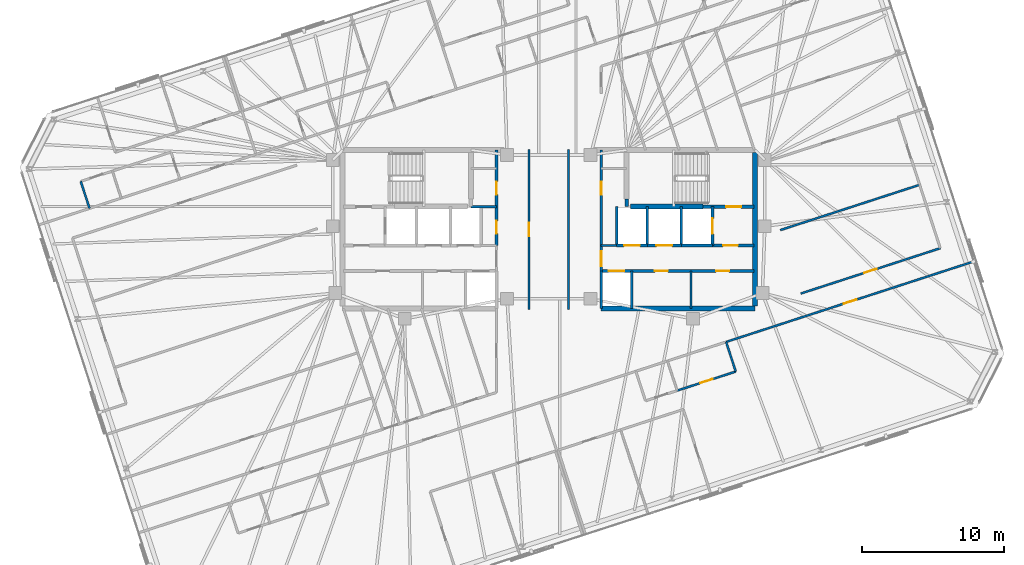
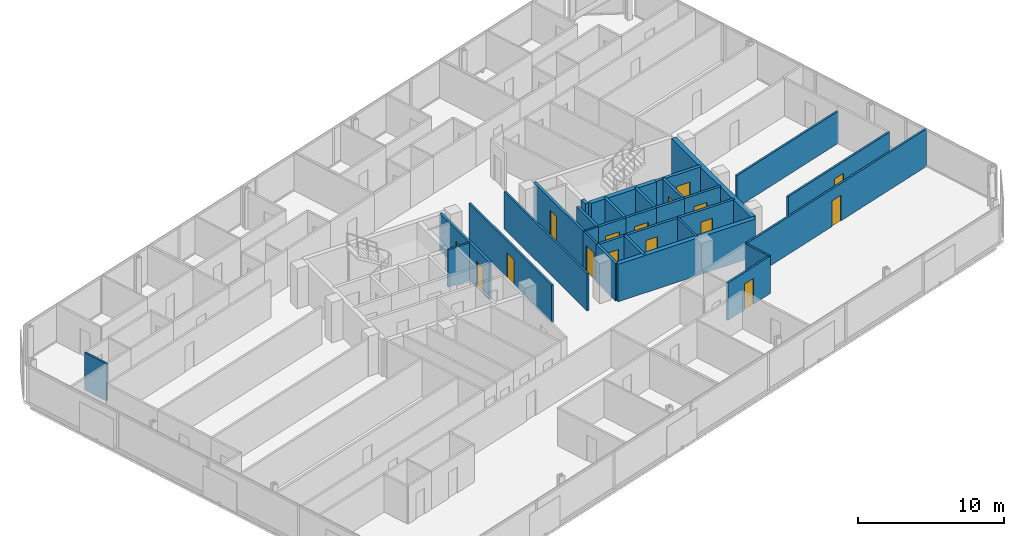
# One storey, part 15 of 20: 30 walls, 16 doors, 16 openings.
"""IFC4 building model written with IfcOpenShell, lengths in metres."""

from ifc_helpers import new_model, si_unit, direction, frame, frame_2d, origin, place, context, subcontext, project, spatial, rectangle, extrude, material, layer, layer_set, type_object, element, fill, save


model = new_model("IFC4")

# Units and contexts
model_context = context("Model", 3, precision=1e-05, world=origin(), true_north=direction((0.0, 1.0)))
body_context = subcontext(model_context, "Body", "Model", "MODEL_VIEW")
ifc_project = project(units=[si_unit("LENGTHUNIT", "METRE"), si_unit("AREAUNIT", "SQUARE_METRE"), si_unit("VOLUMEUNIT", "CUBIC_METRE"), si_unit("PLANEANGLEUNIT", "RADIAN"), si_unit("MASSUNIT", "GRAM", prefix="KILO")], contexts=[model_context])

# Site, building, storey
site_placement = place(None, origin())
site = spatial("IfcSite", under=ifc_project, at=site_placement, CompositionType="ELEMENT")
building_placement = place(site_placement, origin())
building = spatial("IfcBuilding", under=site, at=building_placement, Name="Menara Jurai Vektor", CompositionType="ELEMENT")
storey_placement = place(building_placement, frame((0.0, 0.0, 244.39990234375)))
storey = spatial("IfcBuildingStorey", under=building, at=storey_placement, Name="L65", CompositionType="ELEMENT", Elevation=244.39990234375)

# Wall, opening, door
ifc_material_1 = material(Name="Concrete C40/50", Category="concrete")
ifc_layer_1 = layer(ifc_material_1, 0.25)
ifc_layer_set_1 = layer_set([ifc_layer_1], Name="Concrete C40/50")
wall_type_1 = type_object("IfcWallType", Name="INT-WALL-CORE-250", PredefinedType="STANDARD", material=ifc_layer_set_1)
wall_1_placement = place(storey_placement, frame((10.89990234375, 1.60009765625, 0.0), z_axis=(0.0, 0.0, 1.0), x_axis=(1.0, 0.0, 0.0)))
wall_1 = element("IfcWall", 1, at=wall_1_placement, inside=storey, type_object=wall_type_1, Name="Interior Wall IW-250 L65", PredefinedType="STANDARD", context=body_context, shape_type="SweptSolid", body=[
    extrude(rectangle(XDim=3.60009765625, YDim=0.25, at=frame_2d((1.800048828125, 0.0))), origin(), (0.0, 0.0, 1.0), 3.125),
])
opening_1_placement = place(wall_1_placement, frame((1.6201171875, 0.0, 0.0)))
opening_1 = element("IfcOpeningElement", 2, at=opening_1_placement, cuts=wall_1, Name="Opening D-L65-ST2", PredefinedType="OPENING", context=body_context, shape_type="SweptSolid", body=[
    extrude(rectangle(XDim=1.050048828125, YDim=2.14990234375, at=frame_2d((0.52490234375, 1.074951171875))), frame((0.0, 0.135009765625, 0.0), z_axis=(0.0, -1.0, 0.0), x_axis=(1.0, 0.0, 0.0)), (0.0, 0.0, 1.0), 0.27001953125),
])
ifc_material_2 = material(Name="Fire-Rated Steel Door", Category="steel")
door_type_1 = type_object("IfcDoorType", Name="DR-STAIR-1050", OperationType="NOTDEFINED", PredefinedType="DOOR", material=ifc_material_2)
door_1_placement = place(opening_1_placement, origin())
door_1 = element("IfcDoor", 3, at=door_1_placement, inside=storey, type_object=door_type_1, Name="Exit Stair ST2 Door L65", OperationType="SINGLE_SWING_LEFT", OverallHeight=2.14990234375, OverallWidth=1.050048828125, PredefinedType="DOOR", context=body_context, shape_type="SweptSolid", body=[
    extrude(rectangle(XDim=1.050048828125, YDim=2.14990234375, at=frame_2d((0.52490234375, 1.074951171875))), frame((0.0, 0.02490234375, 0.0), z_axis=(0.0, -1.0, 0.0), x_axis=(1.0, 0.0, 0.0)), (0.0, 0.0, 1.0), 0.050048828125),
])
fill(opening_1, door_1)

# Wall
wall_2_placement = place(storey_placement, frame((5.5, 1.60009765625, 0.0), z_axis=(0.0, 0.0, 1.0), x_axis=(0.0, 1.0, 0.0)))
element("IfcWall", 4, at=wall_2_placement, inside=storey, type_object=wall_type_1, Name="Interior Wall IW-250 L65", PredefinedType="STANDARD", context=body_context, shape_type="SweptSolid", body=[
    extrude(rectangle(XDim=0.5498046875, YDim=0.25, at=frame_2d((0.27490234375, 0.0))), origin(), (0.0, 0.0, 1.0), 3.125),
])

# Wall, opening, door
wall_3_placement = place(storey_placement, frame((11.550048828125, -1.14990234375, 0.0), z_axis=(0.0, 0.0, 1.0), x_axis=(0.0, 1.0, 0.0)))
wall_3 = element("IfcWall", 5, at=wall_3_placement, inside=storey, type_object=wall_type_1, Name="Interior Wall IW-250 L65", PredefinedType="STANDARD", context=body_context, shape_type="SweptSolid", body=[
    extrude(rectangle(XDim=2.75, YDim=0.199951171875, at=frame_2d((1.375, 0.0))), origin(), (0.0, 0.0, 1.0), 3.125),
])
opening_2_placement = place(wall_3_placement, frame((0.824951171875, 0.0, 0.0)))
opening_2 = element("IfcOpeningElement", 6, at=opening_2_placement, cuts=wall_3, Name="Opening LD-L65-FL2", PredefinedType="OPENING", context=body_context, shape_type="SweptSolid", body=[
    extrude(rectangle(XDim=1.10009765625, YDim=2.14990234375, at=frame_2d((0.550048828125, 1.074951171875))), frame((0.0, 0.10986328125, 0.0), z_axis=(0.0, -1.0, 0.0), x_axis=(1.0, 0.0, 0.0)), (0.0, 0.0, 1.0), 0.219970703125),
])
ifc_material_3 = material(Name="Stainless Steel Sliding Lift Landing Door", Category="steel")
door_type_2 = type_object("IfcDoorType", Name="DR-LIFT-FIRE-1100", OperationType="NOTDEFINED", PredefinedType="DOOR", material=ifc_material_3)
door_2_placement = place(opening_2_placement, origin())
door_2 = element("IfcDoor", 7, at=door_2_placement, inside=storey, type_object=door_type_2, Name="Lift Landing Door FL2 L65", OperationType="SLIDING_TO_RIGHT", OverallHeight=2.14990234375, OverallWidth=1.10009765625, PredefinedType="DOOR", context=body_context, shape_type="SweptSolid", body=[
    extrude(rectangle(XDim=1.10009765625, YDim=2.14990234375, at=frame_2d((0.550048828125, 1.074951171875))), frame((0.0, 0.02490234375, 0.0), z_axis=(0.0, -1.0, 0.0), x_axis=(1.0, 0.0, 0.0)), (0.0, 0.0, 1.0), 0.050048828125),
])
fill(opening_2, door_2)

# Wall
wall_4_placement = place(storey_placement, frame((9.35009765625, -1.14990234375, 0.0), z_axis=(0.0, 0.0, 1.0), x_axis=(0.0, 1.0, 0.0)))
element("IfcWall", 8, at=wall_4_placement, inside=storey, type_object=wall_type_1, Name="Interior Wall IW-250 L65", PredefinedType="STANDARD", context=body_context, shape_type="SweptSolid", body=[
    extrude(rectangle(XDim=2.75, YDim=0.199951171875, at=frame_2d((1.375, 0.0))), origin(), (0.0, 0.0, 1.0), 3.125),
])

# Wall, opening, door
wall_5_placement = place(storey_placement, frame((11.550048828125, -1.14990234375, 0.0), z_axis=(0.0, 0.0, 1.0), x_axis=(1.0, 0.0, 0.0)))
wall_5 = element("IfcWall", 9, at=wall_5_placement, inside=storey, type_object=wall_type_1, Name="Interior Wall IW-250 L65", PredefinedType="STANDARD", context=body_context, shape_type="SweptSolid", body=[
    extrude(rectangle(XDim=2.949951171875, YDim=0.199951171875, at=frame_2d((1.47509765625, 0.0))), origin(), (0.0, 0.0, 1.0), 3.125),
])
opening_3_placement = place(wall_5_placement, frame((0.75, 0.0, 0.0)))
opening_3 = element("IfcOpeningElement", 10, at=opening_3_placement, cuts=wall_5, Name="Opening D-L65-FFE", PredefinedType="OPENING", context=body_context, shape_type="SweptSolid", body=[
    extrude(rectangle(XDim=1.050048828125, YDim=2.179931640625, at=frame_2d((0.52490234375, 1.08984375))), frame((0.0, 0.10986328125, 0.0), z_axis=(0.0, -1.0, 0.0), x_axis=(1.0, 0.0, 0.0)), (0.0, 0.0, 1.0), 0.219970703125),
])
ifc_material_4 = material(Name="Fire-Rated Timber Door", Category="wood")
door_type_3 = type_object("IfcDoorType", Name="DR-LOBBY-1050", OperationType="NOTDEFINED", PredefinedType="DOOR", material=ifc_material_4)
door_3_placement = place(opening_3_placement, origin())
door_3 = element("IfcDoor", 11, at=door_3_placement, inside=storey, type_object=door_type_3, Name="Fire Lift Lobby Door E L65", OperationType="SINGLE_SWING_LEFT", OverallHeight=2.179931640625, OverallWidth=1.050048828125, PredefinedType="DOOR", context=body_context, shape_type="SweptSolid", body=[
    extrude(rectangle(XDim=1.050048828125, YDim=2.179931640625, at=frame_2d((0.52490234375, 1.08984375))), frame((0.0, 0.02490234375, 0.0), z_axis=(0.0, -1.0, 0.0), x_axis=(1.0, 0.0, 0.0)), (0.0, 0.0, 1.0), 0.050048828125),
])
fill(opening_3, door_3)

# Wall
wall_6_placement = place(storey_placement, frame((9.35009765625, -1.14990234375, 0.0), z_axis=(0.0, 0.0, 1.0), x_axis=(1.0, 0.0, 0.0)))
element("IfcWall", 12, at=wall_6_placement, inside=storey, type_object=wall_type_1, Name="Interior Wall IW-250 L65", PredefinedType="STANDARD", context=body_context, shape_type="SweptSolid", body=[
    extrude(rectangle(XDim=2.199951171875, YDim=0.199951171875, at=frame_2d((1.10009765625, 0.0))), origin(), (0.0, 0.0, 1.0), 3.125),
])

# Wall, opening, door
ifc_material_5 = material(Name="Gypsum Fireboard Partition", Category="gypsum")
ifc_layer_2 = layer(ifc_material_5, 0.14990234375)
ifc_layer_set_2 = layer_set([ifc_layer_2], Name="Gypsum Fireboard Partition")
wall_type_2 = type_object("IfcWallType", Name="INT-WALL-CORR-150", PredefinedType="PARTITIONING", material=ifc_layer_set_2)
wall_7_placement = place(storey_placement, frame((3.699951171875, -2.949951171875, 0.0), z_axis=(0.0, 0.0, 1.0), x_axis=(0.0, 1.0, 0.0)))
wall_7 = element("IfcWall", 13, at=wall_7_placement, inside=storey, type_object=wall_type_2, Name="Interior Wall IW-150 L65", PredefinedType="PARTITIONING", context=body_context, shape_type="SweptSolid", body=[
    extrude(rectangle(XDim=1.800048828125, YDim=0.14990234375, at=frame_2d((0.89990234375, 0.0))), origin(), (0.0, 0.0, 1.0), 3.125),
])
opening_4_placement = place(wall_7_placement, frame((0.35009765625, 0.0, 0.0)))
opening_4 = element("IfcOpeningElement", 14, at=opening_4_placement, cuts=wall_7, Name="Opening D-L65-LLE", PredefinedType="OPENING", context=body_context, shape_type="SweptSolid", body=[
    extrude(rectangle(XDim=1.050048828125, YDim=2.179931640625, at=frame_2d((0.52490234375, 1.08984375))), frame((0.0, 0.0849609375, 0.0), z_axis=(0.0, -1.0, 0.0), x_axis=(1.0, 0.0, 0.0)), (0.0, 0.0, 1.0), 0.169921875),
])
door_4_placement = place(opening_4_placement, frame((1.050048828125, 0.0, 0.0), z_axis=(0.0, 0.0, 1.0), x_axis=(-1.0, 0.0, 0.0)))
door_4 = element("IfcDoor", 15, at=door_4_placement, inside=storey, type_object=door_type_3, Name="Lift Lobby Corridor Door E L65", OperationType="SINGLE_SWING_RIGHT", OverallHeight=2.179931640625, OverallWidth=1.050048828125, PredefinedType="DOOR", context=body_context, shape_type="SweptSolid", body=[
    extrude(rectangle(XDim=1.050048828125, YDim=2.179931640625, at=frame_2d((0.52490234375, 1.08984375))), frame((0.0, 0.02490234375, 0.0), z_axis=(0.0, -1.0, 0.0), x_axis=(1.0, 0.0, 0.0)), (0.0, 0.0, 1.0), 0.050048828125),
])
fill(opening_4, door_4)

# Walls
wall_8_placement = place(storey_placement, frame((3.699951171875, -1.14990234375, 0.0), z_axis=(0.0, 0.0, 1.0), x_axis=(1.0, 0.0, 0.0)))
element("IfcWall", 16, at=wall_8_placement, inside=storey, type_object=wall_type_2, Name="Interior Wall IW-150 L65", PredefinedType="PARTITIONING", context=body_context, shape_type="SweptSolid", body=[
    extrude(rectangle(XDim=1.090087890625, YDim=0.14990234375, at=frame_2d((0.544921875, 0.0))), origin(), (0.0, 0.0, 1.0), 3.125),
])
wall_9_placement = place(storey_placement, frame((-5.5, 1.60009765625, 0.0), z_axis=(0.0, 0.0, 1.0), x_axis=(1.0, 0.0, 0.0)))
element("IfcWall", 17, at=wall_9_placement, inside=storey, type_object=wall_type_2, Name="Interior Wall IW-150 L65", PredefinedType="PARTITIONING", context=body_context, shape_type="SweptSolid", body=[
    extrude(rectangle(XDim=1.800048828125, YDim=0.14990234375, at=frame_2d((0.89990234375, 0.0))), origin(), (0.0, 0.0, 1.0), 3.125),
])
wall_10_placement = place(storey_placement, frame((10.0400390625, -5.60009765625, 0.0), z_axis=(0.0, 0.0, 1.0), x_axis=(0.0, 1.0, 0.0)))
element("IfcWall", 18, at=wall_10_placement, inside=storey, type_object=wall_type_2, Name="Interior Wall IW-150 L65", PredefinedType="PARTITIONING", context=body_context, shape_type="SweptSolid", body=[
    extrude(rectangle(XDim=2.650146484375, YDim=0.14990234375, at=frame_2d((1.3251953125, 0.0))), origin(), (0.0, 0.0, 1.0), 3.125),
])

# Wall, opening, door
wall_11_placement = place(storey_placement, frame((-1.390625, -5.650146484375, 0.0), z_axis=(0.0, 0.0, 1.0), x_axis=(-8.6422954e-05, 0.999999996266, 0.0)))
wall_11 = element("IfcWall", 19, at=wall_11_placement, inside=storey, type_object=wall_type_2, Name="Interior Wall IW-150 L65", PredefinedType="PARTITIONING", context=body_context, shape_type="SweptSolid", body=[
    extrude(rectangle(XDim=11.2998046875, YDim=0.14990234375, at=frame_2d((5.64990234375, 0.0))), origin(), (0.0, 0.0, 1.0), 3.125),
])
opening_5_placement = place(wall_11_placement, frame((5.1748046875, 0.0, 0.0)))
opening_5 = element("IfcOpeningElement", 20, at=opening_5_placement, cuts=wall_11, Name="Opening D65-08", PredefinedType="OPENING", context=body_context, shape_type="SweptSolid", body=[
    extrude(rectangle(XDim=0.949951171875, YDim=2.14990234375, at=frame_2d((0.47509765625, 1.074951171875))), frame((0.0, 0.0849609375, 0.0), z_axis=(0.0, -1.0, 0.0), x_axis=(1.0, 0.0, 0.0)), (0.0, 0.0, 1.0), 0.169921875),
])
ifc_material_6 = material(Name="Solid Core Timber Fire Door", Category="wood")
door_type_4 = type_object("IfcDoorType", Name="DR-ENTRY-950", OperationType="NOTDEFINED", PredefinedType="DOOR", material=ifc_material_6)
door_5_placement = place(opening_5_placement, origin())
door_5 = element("IfcDoor", 21, at=door_5_placement, inside=storey, type_object=door_type_4, Name="Interior Door D65-08", OperationType="SINGLE_SWING_LEFT", OverallHeight=2.14990234375, OverallWidth=0.949951171875, PredefinedType="DOOR", context=body_context, shape_type="SweptSolid", body=[
    extrude(rectangle(XDim=0.949951171875, YDim=2.14990234375, at=frame_2d((0.47509765625, 1.074951171875))), frame((0.0, 0.02490234375, 0.0), z_axis=(0.0, -1.0, 0.0), x_axis=(1.0, 0.0, 0.0)), (0.0, 0.0, 1.0), 0.050048828125),
])
fill(opening_5, door_5)

# Wall
wall_12_placement = place(storey_placement, frame((1.39111328125, -5.6484375, 0.0), z_axis=(0.0, 0.0, 1.0), x_axis=(-4.3218947e-05, 0.999999999066, 0.0)))
element("IfcWall", 22, at=wall_12_placement, inside=storey, type_object=wall_type_2, Name="Interior Wall IW-150 L65", PredefinedType="PARTITIONING", context=body_context, shape_type="SweptSolid", body=[
    extrude(rectangle(XDim=11.2978515625, YDim=0.14990234375, at=frame_2d((5.64892578125, 0.0))), origin(), (0.0, 0.0, 1.0), 3.125),
])

# Wall, opening, door
wall_13_placement = place(storey_placement, frame((12.51708984375, -7.947998046875, 0.0), z_axis=(0.0, 0.0, 1.0), x_axis=(0.951053764264, 0.309025464128, 0.0)))
wall_13 = element("IfcWall", 23, at=wall_13_placement, inside=storey, type_object=wall_type_2, Name="Interior Wall IW-150 L65", PredefinedType="PARTITIONING", context=body_context, shape_type="SweptSolid", body=[
    extrude(rectangle(XDim=18.399169921875, YDim=0.14990234375, at=frame_2d((9.19970703125, 0.0))), origin(), (0.0, 0.0, 1.0), 3.125),
])
opening_6_placement = place(wall_13_placement, frame((8.724609375, 0.0, 0.0)))
opening_6 = element("IfcOpeningElement", 24, at=opening_6_placement, cuts=wall_13, Name="Opening D65-34", PredefinedType="OPENING", context=body_context, shape_type="SweptSolid", body=[
    extrude(rectangle(XDim=0.949951171875, YDim=2.14990234375, at=frame_2d((0.47509765625, 1.074951171875))), frame((0.0, 0.0849609375, 0.0), z_axis=(0.0, -1.0, 0.0), x_axis=(1.0, 0.0, 0.0)), (0.0, 0.0, 1.0), 0.169921875),
])
door_6_placement = place(opening_6_placement, origin())
door_6 = element("IfcDoor", 25, at=door_6_placement, inside=storey, type_object=door_type_4, Name="Interior Door D65-34", OperationType="SINGLE_SWING_LEFT", OverallHeight=2.14990234375, OverallWidth=0.949951171875, PredefinedType="DOOR", context=body_context, shape_type="SweptSolid", body=[
    extrude(rectangle(XDim=0.949951171875, YDim=2.14990234375, at=frame_2d((0.47509765625, 1.074951171875))), frame((0.0, 0.02490234375, 0.0), z_axis=(0.0, -1.0, 0.0), x_axis=(1.0, 0.0, 0.0)), (0.0, 0.0, 1.0), 0.050048828125),
])
fill(opening_6, door_6)

wall_14_placement = place(storey_placement, frame((17.791259765625, -4.53076171875, 0.0), z_axis=(0.0, 0.0, 1.0), x_axis=(0.951056769902, 0.309016213852, 0.0)))
wall_14 = element("IfcWall", 26, at=wall_14_placement, inside=storey, type_object=wall_type_2, Name="Interior Wall IW-150 L65", PredefinedType="PARTITIONING", context=body_context, shape_type="SweptSolid", body=[
    extrude(rectangle(XDim=10.35205078125, YDim=0.14990234375, at=frame_2d((5.176025390625, 0.0))), origin(), (0.0, 0.0, 1.0), 3.125),
])
opening_7_placement = place(wall_14_placement, frame((4.716064453125, 0.0, 0.0)))
opening_7 = element("IfcOpeningElement", 27, at=opening_7_placement, cuts=wall_14, Name="Opening D65-53", PredefinedType="OPENING", context=body_context, shape_type="SweptSolid", body=[
    extrude(rectangle(XDim=0.919921875, YDim=2.14990234375, at=frame_2d((0.4599609375, 1.074951171875))), frame((0.0, 0.0849609375, 0.0), z_axis=(0.0, -1.0, 0.0), x_axis=(1.0, 0.0, 0.0)), (0.0, 0.0, 1.0), 0.169921875),
])
door_7_placement = place(opening_7_placement, origin())
door_7 = element("IfcDoor", 28, at=door_7_placement, inside=storey, type_object=door_type_4, Name="Interior Door D65-53", OperationType="SINGLE_SWING_RIGHT", OverallHeight=2.14990234375, OverallWidth=0.919921875, PredefinedType="DOOR", context=body_context, shape_type="SweptSolid", body=[
    extrude(rectangle(XDim=0.919921875, YDim=2.14990234375, at=frame_2d((0.4599609375, 1.074951171875))), frame((0.0, 0.02490234375, 0.0), z_axis=(0.0, -1.0, 0.0), x_axis=(1.0, 0.0, 0.0)), (0.0, 0.0, 1.0), 0.050048828125),
])
fill(opening_7, door_7)

# Wall
wall_15_placement = place(storey_placement, frame((-32.4267578125, 1.47900390625, 0.0), z_axis=(0.0, 0.0, 1.0), x_axis=(-0.309022749039, 0.951054646472, 0.0)))
element("IfcWall", 29, at=wall_15_placement, inside=storey, type_object=wall_type_2, Name="Interior Wall IW-150 L65", PredefinedType="PARTITIONING", context=body_context, shape_type="SweptSolid", body=[
    extrude(rectangle(XDim=2.005126953125, YDim=0.14990234375, at=frame_2d((1.00244140625, 0.0))), origin(), (0.0, 0.0, 1.0), 3.125),
])

# Wall, opening, door
wall_16_placement = place(storey_placement, frame((9.059814453125, -11.384521484375, 0.0), z_axis=(0.0, 0.0, 1.0), x_axis=(0.951057987102, 0.309012467661, 0.0)))
wall_16 = element("IfcWall", 30, at=wall_16_placement, inside=storey, type_object=wall_type_2, Name="Interior Wall IW-150 L65", PredefinedType="PARTITIONING", context=body_context, shape_type="SweptSolid", body=[
    extrude(rectangle(XDim=4.35009765625, YDim=0.14990234375, at=frame_2d((2.175048828125, 0.0))), origin(), (0.0, 0.0, 1.0), 3.125),
])
opening_8_placement = place(wall_16_placement, frame((1.72509765625, 0.0, 0.0)))
opening_8 = element("IfcOpeningElement", 31, at=opening_8_placement, cuts=wall_16, Name="Opening D65-36", PredefinedType="OPENING", context=body_context, shape_type="SweptSolid", body=[
    extrude(rectangle(XDim=0.89990234375, YDim=2.14990234375, at=frame_2d((0.449951171875, 1.074951171875))), frame((0.0, 0.0849609375, 0.0), z_axis=(0.0, -1.0, 0.0), x_axis=(1.0, 0.0, 0.0)), (0.0, 0.0, 1.0), 0.169921875),
])
ifc_material_7 = material(Name="Acoustic Timber Interior Door", Category="wood")
door_type_5 = type_object("IfcDoorType", Name="DR-ROOM-900", OperationType="NOTDEFINED", PredefinedType="DOOR", material=ifc_material_7)
door_8_placement = place(opening_8_placement, origin())
door_8 = element("IfcDoor", 32, at=door_8_placement, inside=storey, type_object=door_type_5, Name="Interior Door D65-36", OperationType="SINGLE_SWING_LEFT", OverallHeight=2.14990234375, OverallWidth=0.89990234375, PredefinedType="DOOR", context=body_context, shape_type="SweptSolid", body=[
    extrude(rectangle(XDim=0.89990234375, YDim=2.14990234375, at=frame_2d((0.449951171875, 1.074951171875))), frame((0.0, 0.02490234375, 0.0), z_axis=(0.0, -1.0, 0.0), x_axis=(1.0, 0.0, 0.0)), (0.0, 0.0, 1.0), 0.050048828125),
])
fill(opening_8, door_8)

# Walls
wall_17_placement = place(storey_placement, frame((13.197021484375, -10.040283203125, 0.0), z_axis=(0.0, 0.0, 1.0), x_axis=(-0.309060979314, 0.951042223598, 0.0)))
element("IfcWall", 33, at=wall_17_placement, inside=storey, type_object=wall_type_2, Name="Interior Wall IW-150 L65", PredefinedType="PARTITIONING", context=body_context, shape_type="SweptSolid", body=[
    extrude(rectangle(XDim=2.199951171875, YDim=0.14990234375, at=frame_2d((1.10009765625, 0.0))), origin(), (0.0, 0.0, 1.0), 3.125),
])
ifc_layer_3 = layer(ifc_material_5, 0.14990234375)
ifc_layer_set_3 = layer_set([ifc_layer_3], Name="Gypsum Fireboard Partition")
wall_type_3 = type_object("IfcWallType", Name="INT-WALL-CORR-150-H1", PredefinedType="PARTITIONING", material=ifc_layer_set_3)
wall_18_placement = place(storey_placement, frame((16.336669921875, -0.05419921875, 0.0), z_axis=(0.0, 0.0, 1.0), x_axis=(0.951056769902, 0.309016213852, 0.0)))
element("IfcWall", 34, at=wall_18_placement, inside=storey, type_object=wall_type_3, Name="Interior Wall IW-150 L65", PredefinedType="PARTITIONING", context=body_context, shape_type="SweptSolid", body=[
    extrude(rectangle(XDim=10.35205078125, YDim=0.14990234375, at=frame_2d((5.176025390625, 0.0))), origin(), (0.0, 0.0, 1.0), 2.675048828125),
])

# Wall, openings, doors
ifc_layer_4 = layer(ifc_material_1, 0.199951171875)
ifc_layer_set_4 = layer_set([ifc_layer_4], Name="Concrete C40/50")
wall_type_4 = type_object("IfcWallType", Name="INT-WALL-SHAFT-200", PredefinedType="STANDARD", material=ifc_layer_set_4)
wall_19_placement = place(storey_placement, frame((-3.699951171875, -1.14990234375, 0.0), z_axis=(0.0, 0.0, 1.0), x_axis=(0.0, 1.0, 0.0)))
wall_19 = element("IfcWall", 35, at=wall_19_placement, inside=storey, type_object=wall_type_4, Name="Interior Wall IW-200 L65", PredefinedType="STANDARD", context=body_context, shape_type="SweptSolid", body=[
    extrude(rectangle(XDim=6.75, YDim=0.199951171875, at=frame_2d((3.375, 0.0))), origin(), (0.0, 0.0, 1.0), 3.125),
])
opening_9_placement = place(wall_19_placement, frame((3.60009765625, 0.0, 0.0)))
opening_9 = element("IfcOpeningElement", 36, at=opening_9_placement, cuts=wall_19, Name="Opening D65-03", PredefinedType="OPENING", context=body_context, shape_type="SweptSolid", body=[
    extrude(rectangle(XDim=0.919921875, YDim=2.14990234375, at=frame_2d((0.4599609375, 1.074951171875))), frame((0.0, 0.10986328125, 0.0), z_axis=(0.0, -1.0, 0.0), x_axis=(1.0, 0.0, 0.0)), (0.0, 0.0, 1.0), 0.219970703125),
])
opening_10_placement = place(wall_19_placement, frame((0.85009765625, 0.0, 0.0)))
opening_10 = element("IfcOpeningElement", 37, at=opening_10_placement, cuts=wall_19, Name="Opening D65-04", PredefinedType="OPENING", context=body_context, shape_type="SweptSolid", body=[
    extrude(rectangle(XDim=0.89990234375, YDim=2.14990234375, at=frame_2d((0.449951171875, 1.074951171875))), frame((0.0, 0.10986328125, 0.0), z_axis=(0.0, -1.0, 0.0), x_axis=(1.0, 0.0, 0.0)), (0.0, 0.0, 1.0), 0.219970703125),
])
door_9_placement = place(opening_9_placement, origin())
door_9 = element("IfcDoor", 38, at=door_9_placement, inside=storey, type_object=door_type_4, Name="Interior Door D65-03", OperationType="SINGLE_SWING_LEFT", OverallHeight=2.14990234375, OverallWidth=0.919921875, PredefinedType="DOOR", context=body_context, shape_type="SweptSolid", body=[
    extrude(rectangle(XDim=0.919921875, YDim=2.14990234375, at=frame_2d((0.4599609375, 1.074951171875))), frame((0.0, 0.02490234375, 0.0), z_axis=(0.0, -1.0, 0.0), x_axis=(1.0, 0.0, 0.0)), (0.0, 0.0, 1.0), 0.050048828125),
])
fill(opening_9, door_9)
door_10_placement = place(opening_10_placement, origin())
door_10 = element("IfcDoor", 39, at=door_10_placement, inside=storey, type_object=door_type_4, Name="Interior Door D65-04", OperationType="SINGLE_SWING_LEFT", OverallHeight=2.14990234375, OverallWidth=0.89990234375, PredefinedType="DOOR", context=body_context, shape_type="SweptSolid", body=[
    extrude(rectangle(XDim=0.89990234375, YDim=2.14990234375, at=frame_2d((0.449951171875, 1.074951171875))), frame((0.0, 0.02490234375, 0.0), z_axis=(0.0, -1.0, 0.0), x_axis=(1.0, 0.0, 0.0)), (0.0, 0.0, 1.0), 0.050048828125),
])
fill(opening_10, door_10)

# Wall, opening, door
wall_20_placement = place(storey_placement, frame((3.699951171875, -1.14990234375, 0.0), z_axis=(0.0, 0.0, 1.0), x_axis=(0.0, 1.0, 0.0)))
wall_20 = element("IfcWall", 40, at=wall_20_placement, inside=storey, type_object=wall_type_4, Name="Interior Wall IW-200 L65", PredefinedType="STANDARD", context=body_context, shape_type="SweptSolid", body=[
    extrude(rectangle(XDim=6.75, YDim=0.199951171875, at=frame_2d((3.375, 0.0))), origin(), (0.0, 0.0, 1.0), 3.125),
])
opening_11_placement = place(wall_20_placement, frame((3.60009765625, 0.0, 0.0)))
opening_11 = element("IfcOpeningElement", 41, at=opening_11_placement, cuts=wall_20, Name="Opening D65-07", PredefinedType="OPENING", context=body_context, shape_type="SweptSolid", body=[
    extrude(rectangle(XDim=0.919921875, YDim=2.14990234375, at=frame_2d((0.4599609375, 1.074951171875))), frame((0.0, 0.10986328125, 0.0), z_axis=(0.0, -1.0, 0.0), x_axis=(1.0, 0.0, 0.0)), (0.0, 0.0, 1.0), 0.219970703125),
])
door_11_placement = place(opening_11_placement, origin())
door_11 = element("IfcDoor", 42, at=door_11_placement, inside=storey, type_object=door_type_4, Name="Interior Door D65-07", OperationType="SINGLE_SWING_RIGHT", OverallHeight=2.14990234375, OverallWidth=0.919921875, PredefinedType="DOOR", context=body_context, shape_type="SweptSolid", body=[
    extrude(rectangle(XDim=0.919921875, YDim=2.14990234375, at=frame_2d((0.4599609375, 1.074951171875))), frame((0.0, 0.02490234375, 0.0), z_axis=(0.0, -1.0, 0.0), x_axis=(1.0, 0.0, 0.0)), (0.0, 0.0, 1.0), 0.050048828125),
])
fill(opening_11, door_11)

# Walls
wall_21_placement = place(storey_placement, frame((3.699951171875, -5.60009765625, 0.0), z_axis=(0.0, 0.0, 1.0), x_axis=(0.0, 1.0, 0.0)))
element("IfcWall", 43, at=wall_21_placement, inside=storey, type_object=wall_type_4, Name="Interior Wall IW-200 L65", PredefinedType="STANDARD", context=body_context, shape_type="SweptSolid", body=[
    extrude(rectangle(XDim=2.650146484375, YDim=0.199951171875, at=frame_2d((1.3251953125, 0.0))), origin(), (0.0, 0.0, 1.0), 3.125),
])
wall_22_placement = place(storey_placement, frame((6.949951171875, -1.14990234375, 0.0), z_axis=(0.0, 0.0, 1.0), x_axis=(0.0, 1.0, 0.0)))
element("IfcWall", 44, at=wall_22_placement, inside=storey, type_object=wall_type_4, Name="Interior Wall IW-200 L65", PredefinedType="STANDARD", context=body_context, shape_type="SweptSolid", body=[
    extrude(rectangle(XDim=2.75, YDim=0.199951171875, at=frame_2d((1.375, 0.0))), origin(), (0.0, 0.0, 1.0), 3.125),
])

# Wall, opening, door
wall_23_placement = place(storey_placement, frame((6.949951171875, -1.14990234375, 0.0), z_axis=(0.0, 0.0, 1.0), x_axis=(1.0, 0.0, 0.0)))
wall_23 = element("IfcWall", 45, at=wall_23_placement, inside=storey, type_object=wall_type_4, Name="Interior Wall IW-200 L65", PredefinedType="STANDARD", context=body_context, shape_type="SweptSolid", body=[
    extrude(rectangle(XDim=2.400146484375, YDim=0.199951171875, at=frame_2d((1.2001953125, 0.0))), origin(), (0.0, 0.0, 1.0), 3.125),
])
opening_12_placement = place(wall_23_placement, frame((0.64990234375, 0.0, 0.0)))
opening_12 = element("IfcOpeningElement", 46, at=opening_12_placement, cuts=wall_23, Name="Opening LD-L65-SVL2", PredefinedType="OPENING", context=body_context, shape_type="SweptSolid", body=[
    extrude(rectangle(XDim=1.10009765625, YDim=2.14990234375, at=frame_2d((0.550048828125, 1.074951171875))), frame((0.0, 0.10986328125, 0.0), z_axis=(0.0, -1.0, 0.0), x_axis=(1.0, 0.0, 0.0)), (0.0, 0.0, 1.0), 0.219970703125),
])
ifc_material_8 = material(Name="Anodised Stainless Sliding Lift Landing Door", Category="steel")
door_type_6 = type_object("IfcDoorType", Name="DR-LIFT-PASS-1100", OperationType="NOTDEFINED", PredefinedType="DOOR", material=ifc_material_8)
door_12_placement = place(opening_12_placement, origin())
door_12 = element("IfcDoor", 47, at=door_12_placement, inside=storey, type_object=door_type_6, Name="Lift Landing Door SVL2 L65", OperationType="SLIDING_TO_RIGHT", OverallHeight=2.14990234375, OverallWidth=1.10009765625, PredefinedType="DOOR", context=body_context, shape_type="SweptSolid", body=[
    extrude(rectangle(XDim=1.10009765625, YDim=2.14990234375, at=frame_2d((0.550048828125, 1.074951171875))), frame((0.0, 0.02490234375, 0.0), z_axis=(0.0, -1.0, 0.0), x_axis=(1.0, 0.0, 0.0)), (0.0, 0.0, 1.0), 0.050048828125),
])
fill(opening_12, door_12)

# Wall
wall_24_placement = place(storey_placement, frame((4.7900390625, -1.14990234375, 0.0), z_axis=(0.0, 0.0, 1.0), x_axis=(0.0, 1.0, 0.0)))
element("IfcWall", 48, at=wall_24_placement, inside=storey, type_object=wall_type_4, Name="Interior Wall IW-200 L65", PredefinedType="STANDARD", context=body_context, shape_type="SweptSolid", body=[
    extrude(rectangle(XDim=2.75, YDim=0.199951171875, at=frame_2d((1.375, 0.0))), origin(), (0.0, 0.0, 1.0), 3.125),
])

# Wall, opening, door
wall_25_placement = place(storey_placement, frame((4.7900390625, -1.14990234375, 0.0), z_axis=(0.0, 0.0, 1.0), x_axis=(1.0, 0.0, 0.0)))
wall_25 = element("IfcWall", 49, at=wall_25_placement, inside=storey, type_object=wall_type_4, Name="Interior Wall IW-200 L65", PredefinedType="STANDARD", context=body_context, shape_type="SweptSolid", body=[
    extrude(rectangle(XDim=2.159912109375, YDim=0.199951171875, at=frame_2d((1.080078125, 0.0))), origin(), (0.0, 0.0, 1.0), 3.125),
])
opening_13_placement = place(wall_25_placement, frame((0.530029296875, 0.0, 0.0)))
opening_13 = element("IfcOpeningElement", 50, at=opening_13_placement, cuts=wall_25, Name="Opening LD-L65-PH4", PredefinedType="OPENING", context=body_context, shape_type="SweptSolid", body=[
    extrude(rectangle(XDim=1.10009765625, YDim=2.14990234375, at=frame_2d((0.550048828125, 1.074951171875))), frame((0.0, 0.10986328125, 0.0), z_axis=(0.0, -1.0, 0.0), x_axis=(1.0, 0.0, 0.0)), (0.0, 0.0, 1.0), 0.219970703125),
])
door_13_placement = place(opening_13_placement, origin())
door_13 = element("IfcDoor", 51, at=door_13_placement, inside=storey, type_object=door_type_6, Name="Lift Landing Door PH4 L65", OperationType="SLIDING_TO_LEFT", OverallHeight=2.14990234375, OverallWidth=1.10009765625, PredefinedType="DOOR", context=body_context, shape_type="SweptSolid", body=[
    extrude(rectangle(XDim=1.10009765625, YDim=2.14990234375, at=frame_2d((0.550048828125, 1.074951171875))), frame((0.0, 0.02490234375, 0.0), z_axis=(0.0, -1.0, 0.0), x_axis=(1.0, 0.0, 0.0)), (0.0, 0.0, 1.0), 0.050048828125),
])
fill(opening_13, door_13)

# Wall, openings, doors
wall_26_placement = place(storey_placement, frame((3.699951171875, -2.949951171875, 0.0), z_axis=(0.0, 0.0, 1.0), x_axis=(1.0, 0.0, 0.0)))
wall_26 = element("IfcWall", 52, at=wall_26_placement, inside=storey, type_object=wall_type_4, Name="Interior Wall IW-200 L65", PredefinedType="STANDARD", context=body_context, shape_type="SweptSolid", body=[
    extrude(rectangle(XDim=10.800048828125, YDim=0.199951171875, at=frame_2d((5.39990234375, 0.0))), origin(), (0.0, 0.0, 1.0), 3.125),
])
opening_14_placement = place(wall_26_placement, frame((0.530029296875, 0.0, 0.0)))
opening_14 = element("IfcOpeningElement", 53, at=opening_14_placement, cuts=wall_26, Name="Opening LD-L65-PH3", PredefinedType="OPENING", context=body_context, shape_type="SweptSolid", body=[
    extrude(rectangle(XDim=1.10009765625, YDim=2.14990234375, at=frame_2d((0.550048828125, 1.074951171875))), frame((0.0, 0.10986328125, 0.0), z_axis=(0.0, -1.0, 0.0), x_axis=(1.0, 0.0, 0.0)), (0.0, 0.0, 1.0), 0.219970703125),
])
opening_15_placement = place(wall_26_placement, frame((3.7900390625, 0.0, 0.0)))
opening_15 = element("IfcOpeningElement", 54, at=opening_15_placement, cuts=wall_26, Name="Opening D65-05", PredefinedType="OPENING", context=body_context, shape_type="SweptSolid", body=[
    extrude(rectangle(XDim=0.919921875, YDim=2.14990234375, at=frame_2d((0.4599609375, 1.074951171875))), frame((0.0, 0.10986328125, 0.0), z_axis=(0.0, -1.0, 0.0), x_axis=(1.0, 0.0, 0.0)), (0.0, 0.0, 1.0), 0.219970703125),
])
opening_16_placement = place(wall_26_placement, frame((8.110107421875, 0.0, 0.0)))
opening_16 = element("IfcOpeningElement", 55, at=opening_16_placement, cuts=wall_26, Name="Opening D65-06", PredefinedType="OPENING", context=body_context, shape_type="SweptSolid", body=[
    extrude(rectangle(XDim=0.919921875, YDim=2.14990234375, at=frame_2d((0.4599609375, 1.074951171875))), frame((0.0, 0.10986328125, 0.0), z_axis=(0.0, -1.0, 0.0), x_axis=(1.0, 0.0, 0.0)), (0.0, 0.0, 1.0), 0.219970703125),
])
door_14_placement = place(opening_15_placement, origin())
door_14 = element("IfcDoor", 56, at=door_14_placement, inside=storey, type_object=door_type_4, Name="Interior Door D65-05", OperationType="SINGLE_SWING_LEFT", OverallHeight=2.14990234375, OverallWidth=0.919921875, PredefinedType="DOOR", context=body_context, shape_type="SweptSolid", body=[
    extrude(rectangle(XDim=0.919921875, YDim=2.14990234375, at=frame_2d((0.4599609375, 1.074951171875))), frame((0.0, 0.02490234375, 0.0), z_axis=(0.0, -1.0, 0.0), x_axis=(1.0, 0.0, 0.0)), (0.0, 0.0, 1.0), 0.050048828125),
])
fill(opening_15, door_14)
door_15_placement = place(opening_16_placement, origin())
door_15 = element("IfcDoor", 57, at=door_15_placement, inside=storey, type_object=door_type_4, Name="Interior Door D65-06", OperationType="SINGLE_SWING_RIGHT", OverallHeight=2.14990234375, OverallWidth=0.919921875, PredefinedType="DOOR", context=body_context, shape_type="SweptSolid", body=[
    extrude(rectangle(XDim=0.919921875, YDim=2.14990234375, at=frame_2d((0.4599609375, 1.074951171875))), frame((0.0, 0.02490234375, 0.0), z_axis=(0.0, -1.0, 0.0), x_axis=(1.0, 0.0, 0.0)), (0.0, 0.0, 1.0), 0.050048828125),
])
fill(opening_16, door_15)
door_16_placement = place(opening_14_placement, origin())
door_16 = element("IfcDoor", 58, at=door_16_placement, inside=storey, type_object=door_type_6, Name="Lift Landing Door PH3 L65", OperationType="SLIDING_TO_RIGHT", OverallHeight=2.14990234375, OverallWidth=1.10009765625, PredefinedType="DOOR", context=body_context, shape_type="SweptSolid", body=[
    extrude(rectangle(XDim=1.10009765625, YDim=2.14990234375, at=frame_2d((0.550048828125, 1.074951171875))), frame((0.0, 0.02490234375, 0.0), z_axis=(0.0, -1.0, 0.0), x_axis=(1.0, 0.0, 0.0)), (0.0, 0.0, 1.0), 0.050048828125),
])
fill(opening_14, door_16)

# Walls
wall_27_placement = place(storey_placement, frame((5.860107421875, -5.60009765625, 0.0), z_axis=(0.0, 0.0, 1.0), x_axis=(0.0, 1.0, 0.0)))
element("IfcWall", 59, at=wall_27_placement, inside=storey, type_object=wall_type_4, Name="Interior Wall IW-200 L65", PredefinedType="STANDARD", context=body_context, shape_type="SweptSolid", body=[
    extrude(rectangle(XDim=2.650146484375, YDim=0.199951171875, at=frame_2d((1.3251953125, 0.0))), origin(), (0.0, 0.0, 1.0), 3.125),
])
ifc_material_9 = material(Name="Concrete C50/60", Category="concrete")
ifc_layer_5 = layer(ifc_material_9, 0.35009765625)
ifc_layer_set_5 = layer_set([ifc_layer_5], Name="Concrete C50/60")
wall_type_5 = type_object("IfcWallType", Name="STR-WALL-CORE350", PredefinedType="SHEAR", material=ifc_layer_set_5)
wall_28_placement = place(storey_placement, frame((3.699951171875, -5.60009765625, 0.0), z_axis=(0.0, 0.0, 1.0), x_axis=(1.0, 0.0, 0.0)))
element("IfcWall", 60, at=wall_28_placement, inside=storey, type_object=wall_type_5, Name="Core Shear Wall CW-E-S L65", PredefinedType="SHEAR", context=body_context, shape_type="SweptSolid", body=[
    extrude(rectangle(XDim=10.860107421875, YDim=0.35009765625, at=frame_2d((5.43017578125, 0.0))), origin(), (0.0, 0.0, 1.0), 3.125),
])
wall_29_placement = place(storey_placement, frame((14.56005859375, -5.425048828125, 0.0), z_axis=(0.0, 0.0, 1.0), x_axis=(0.0, 1.0, 0.0)))
element("IfcWall", 61, at=wall_29_placement, inside=storey, type_object=wall_type_5, Name="Core Shear Wall CW-E-E L65", PredefinedType="SHEAR", context=body_context, shape_type="SweptSolid", body=[
    extrude(rectangle(XDim=10.85009765625, YDim=0.35009765625, at=frame_2d((5.425048828125, 0.0))), origin(), (0.0, 0.0, 1.0), 3.125),
])
wall_30_placement = place(storey_placement, frame((5.75, 1.60009765625, 0.0), z_axis=(0.0, 0.0, 1.0), x_axis=(1.0, 0.0, 0.0)))
element("IfcWall", 62, at=wall_30_placement, inside=storey, type_object=wall_type_5, Name="Core Shear Wall CW-E-STS L65", PredefinedType="SHEAR", context=body_context, shape_type="SweptSolid", body=[
    extrude(rectangle(XDim=5.14990234375, YDim=0.35009765625, at=frame_2d((2.574951171875, 0.0))), origin(), (0.0, 0.0, 1.0), 3.125),
])

save(model, "model.ifc")
